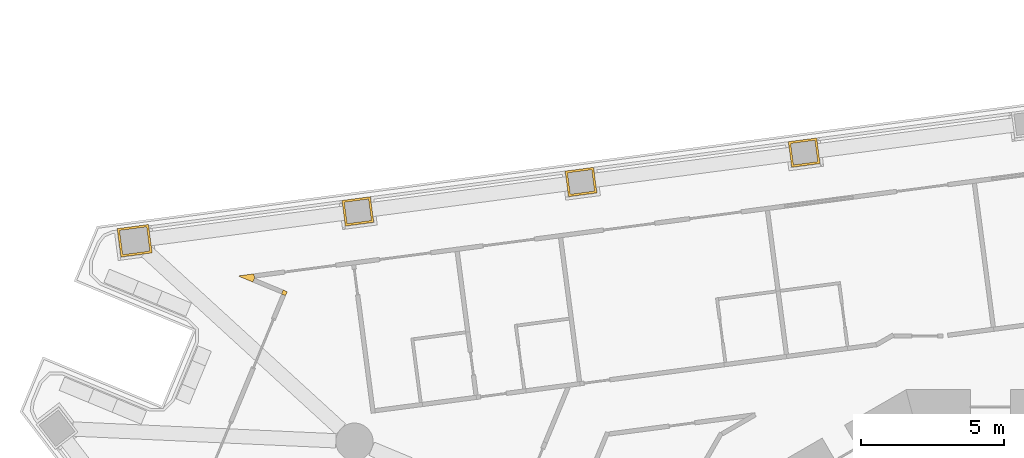
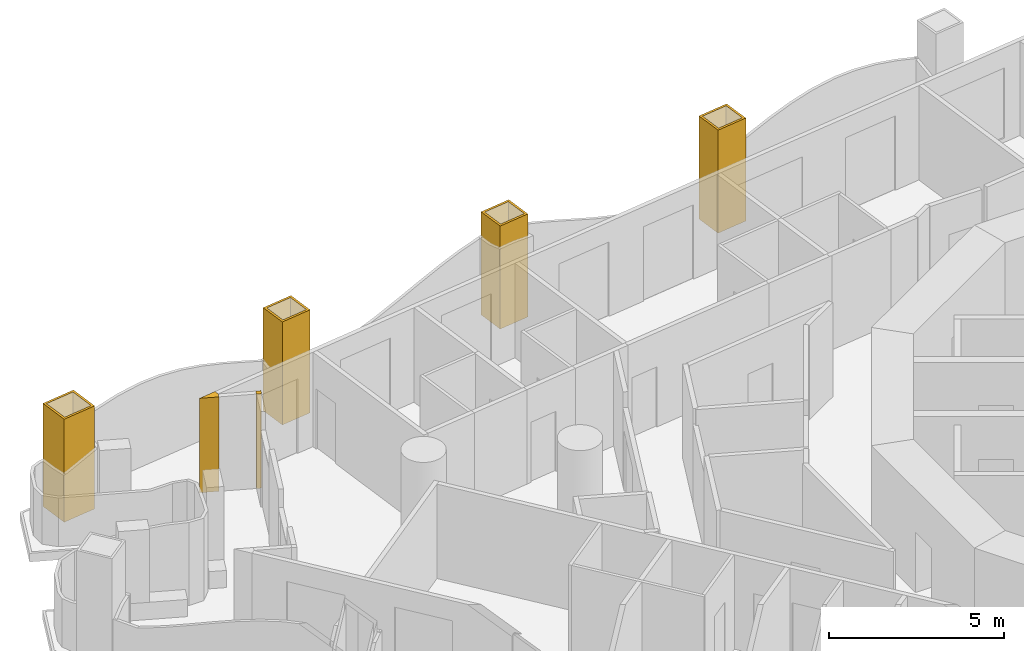
# One storey, part 16 of 19: 6 coverings.
"""IFC4 building model written with IfcOpenShell, lengths in metres."""

from ifc_helpers import new_model, si_unit, direction, frame, origin, place, context, subcontext, project, spatial, polyline, outline, extrude, material, layer, layer_set, type_object, element, save


model = new_model("IFC4")

# Units and contexts
model_context = context("Model", 3, precision=1e-05, world=origin(), true_north=direction((0.0, 1.0)))
body_context = subcontext(model_context, "Body", "Model", "MODEL_VIEW")
ifc_project = project(units=[si_unit("LENGTHUNIT", "METRE"), si_unit("AREAUNIT", "SQUARE_METRE"), si_unit("VOLUMEUNIT", "CUBIC_METRE"), si_unit("PLANEANGLEUNIT", "RADIAN"), si_unit("MASSUNIT", "GRAM", prefix="KILO")], contexts=[model_context])

# Site, building, storey
site_placement = place(None, origin())
site = spatial("IfcSite", under=ifc_project, at=site_placement, CompositionType="ELEMENT")
building_placement = place(site_placement, origin())
building = spatial("IfcBuilding", under=site, at=building_placement, Name="Trine Commons Tower", CompositionType="ELEMENT")
storey_placement = place(building_placement, frame((0.0, 0.0, 61.199951171875)))
storey = spatial("IfcBuildingStorey", under=building, at=storey_placement, Name="L14", CompositionType="ELEMENT", Elevation=61.199951171875)

# Coverings
ifc_material_1 = material(Name="Aluminium-framed insulated wall panel", Category="aluminium")
ifc_layer_1 = layer(ifc_material_1, 0.14990234375)
ifc_layer_set_1 = layer_set([ifc_layer_1], Name="Aluminium-framed insulated wall panel")
covering_type_1 = type_object("IfcCoveringType", Name="Glazing corner post, aluminium", PredefinedType="CLADDING", material=ifc_layer_set_1)
covering_1_placement = place(storey_placement, origin())
element("IfcCovering", 1, at=covering_1_placement, inside=storey, type_object=covering_type_1, Name="Glazing corner post 2-03", PredefinedType="CLADDING", context=body_context, shape_type="SweptSolid", body=[
    extrude(outline(polyline([(55.384521484375, 76.79833984375), (55.44189453125, 76.93701171875), (55.30322265625, 76.994384765625), (55.245849609375, 76.855712890625), (55.384521484375, 76.79833984375)])), origin(), (0.0, 0.0, 1.0), 3.300048828125),
])
covering_2_placement = place(storey_placement, origin())
element("IfcCovering", 2, at=covering_2_placement, inside=storey, type_object=covering_type_1, Name="Glazing corner post 2-04", PredefinedType="CLADDING", context=body_context, shape_type="SweptSolid", body=[
    extrude(outline(polyline([(54.242919921875, 77.271240234375), (54.30029296875, 77.409912109375), (54.280517578125, 77.55859375), (53.7255859375, 77.485595703125), (54.242919921875, 77.271240234375)])), origin(), (0.0, 0.0, 1.0), 3.300048828125),
])
ifc_material_2 = material(Name="Limestone, honed", Category="masonry")
ifc_layer_2 = layer(ifc_material_2, 0.074951171875)
ifc_layer_set_2 = layer_set([ifc_layer_2], Name="Limestone, honed")
covering_type_2 = type_object("IfcCoveringType", Name="Limestone column cladding 75", PredefinedType="CLADDING", material=ifc_layer_set_2)
covering_3_placement = place(storey_placement, origin())
element("IfcCovering", 3, at=covering_3_placement, inside=storey, type_object=covering_type_2, Name="Limestone pier cladding 2-09", PredefinedType="CLADDING", context=body_context, shape_type="SweptSolid", body=[
    extrude(outline(polyline([(50.726806640625, 78.291015625), (50.59619140625, 79.2822265625), (49.505615234375, 79.138671875), (49.635986328125, 78.147216796875), (50.726806640625, 78.291015625)]), holes=[polyline([(50.642578125, 78.35546875), (50.531494140625, 79.1982421875), (49.589599609375, 79.07421875), (49.70068359375, 78.2314453125), (50.642578125, 78.35546875)])]), origin(), (0.0, 0.0, 1.0), 3.60009765625),
])
covering_4_placement = place(storey_placement, origin())
element("IfcCovering", 4, at=covering_4_placement, inside=storey, type_object=covering_type_2, Name="Limestone pier cladding 2-10", PredefinedType="CLADDING", context=body_context, shape_type="SweptSolid", body=[
    extrude(outline(polyline([(58.4638671875, 79.360107421875), (58.34619140625, 80.252197265625), (57.354736328125, 80.121826171875), (57.472412109375, 79.2294921875), (58.4638671875, 79.360107421875)]), holes=[polyline([(58.379638671875, 79.424560546875), (58.28173828125, 80.168212890625), (57.43896484375, 80.05712890625), (57.536865234375, 79.313720703125), (58.379638671875, 79.424560546875)])]), origin(), (0.0, 0.0, 1.0), 3.60009765625),
])
covering_5_placement = place(storey_placement, origin())
element("IfcCovering", 5, at=covering_5_placement, inside=storey, type_object=covering_type_2, Name="Limestone pier cladding 2-11", PredefinedType="CLADDING", context=body_context, shape_type="SweptSolid", body=[
    extrude(outline(polyline([(66.257080078125, 80.385986328125), (66.1396484375, 81.2783203125), (65.148193359375, 81.147705078125), (65.265625, 80.255615234375), (66.257080078125, 80.385986328125)]), holes=[polyline([(66.1728515625, 80.45068359375), (66.074951171875, 81.194091796875), (65.232421875, 81.083251953125), (65.330078125, 80.339599609375), (66.1728515625, 80.45068359375)])]), origin(), (0.0, 0.0, 1.0), 3.60009765625),
])
covering_6_placement = place(storey_placement, origin())
element("IfcCovering", 6, at=covering_6_placement, inside=storey, type_object=covering_type_2, Name="Limestone pier cladding 2-12", PredefinedType="CLADDING", context=body_context, shape_type="SweptSolid", body=[
    extrude(outline(polyline([(74.05029296875, 81.412109375), (73.932861328125, 82.30419921875), (72.94140625, 82.173828125), (73.058837890625, 81.281494140625), (74.05029296875, 81.412109375)]), holes=[polyline([(73.96630859375, 81.4765625), (73.868408203125, 82.22021484375), (73.025634765625, 82.109130859375), (73.12353515625, 81.365478515625), (73.96630859375, 81.4765625)])]), origin(), (0.0, 0.0, 1.0), 3.60009765625),
])

save(model, "model.ifc")
